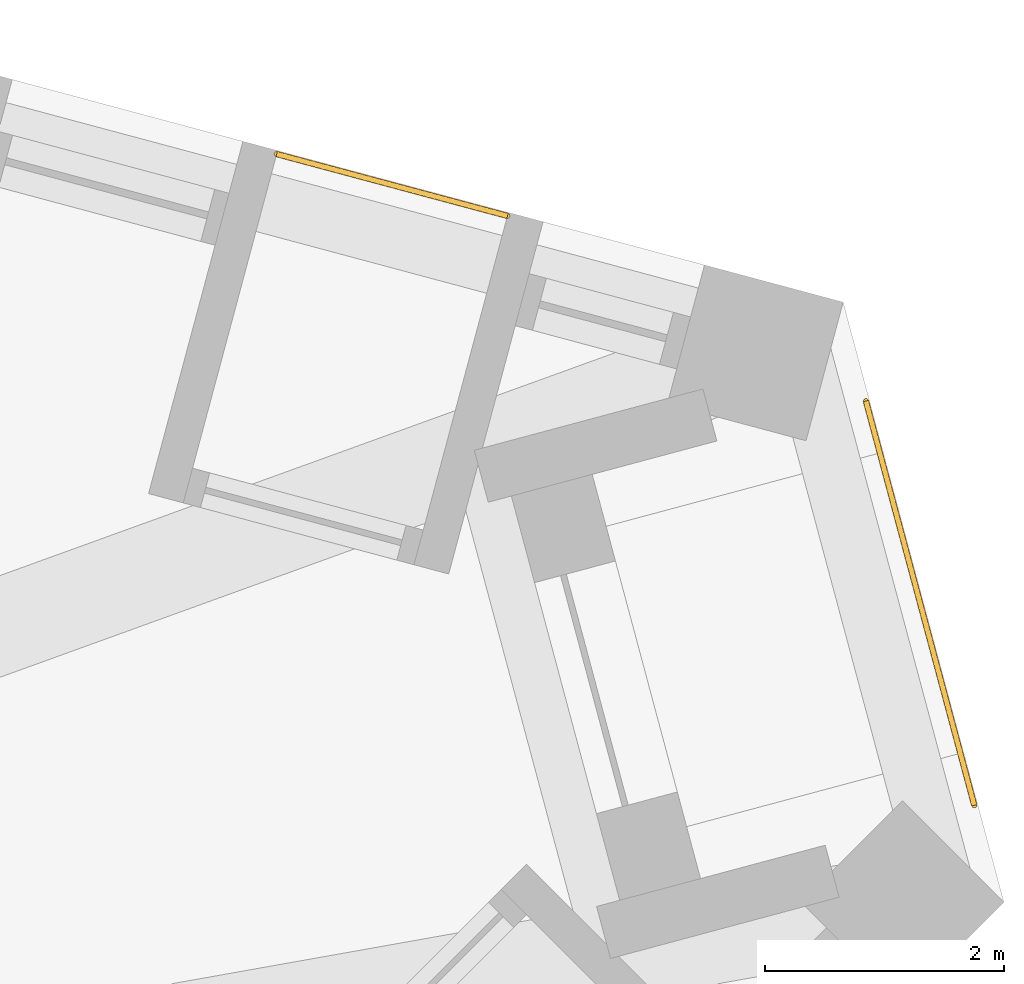
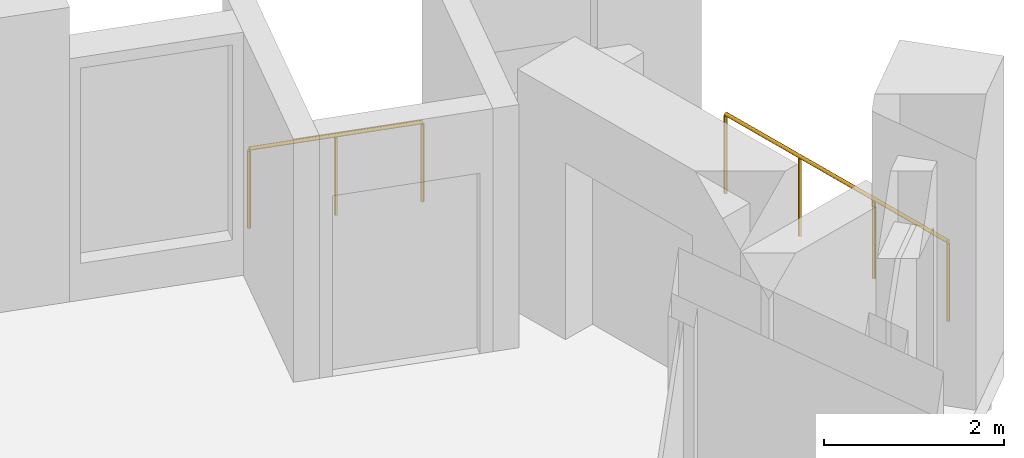
# One storey, part 13 of 13: 2 railings.
"""IFC4 building model written with IfcOpenShell, lengths in metres."""

from ifc_helpers import new_model, si_unit, direction, frame, origin, origin_2d, place, context, subcontext, project, spatial, circle, extrude, material, type_object, element, save


model = new_model("IFC4")

# Units and contexts
model_context = context("Model", 3, precision=1e-05, world=origin(), true_north=direction((0.0, 1.0)))
body_context = subcontext(model_context, "Body", "Model", "MODEL_VIEW")
ifc_project = project(units=[si_unit("LENGTHUNIT", "METRE"), si_unit("AREAUNIT", "SQUARE_METRE"), si_unit("VOLUMEUNIT", "CUBIC_METRE"), si_unit("PLANEANGLEUNIT", "RADIAN"), si_unit("MASSUNIT", "GRAM", prefix="KILO")], contexts=[model_context])

# Site, building, storey
site_placement = place(None, origin())
site = spatial("IfcSite", under=ifc_project, at=site_placement, CompositionType="ELEMENT")
building_placement = place(site_placement, origin())
building = spatial("IfcBuilding", under=site, at=building_placement, Name="Tramontana Tower", CompositionType="ELEMENT")
storey_placement = place(building_placement, frame((0.0, 0.0, 228.0)))
storey = spatial("IfcBuildingStorey", under=building, at=storey_placement, Name="L53", CompositionType="ELEMENT", Elevation=228.0)

# Railings
ifc_material = material(Name="Laminated glass balustrade", Category="glass")
railing_type = type_object("IfcRailingType", Name="GD1 Loggia glass balustrade 1100", PredefinedType="BALUSTRADE", material=ifc_material)
railing_1_placement = place(storey_placement, frame((24.04931640625, 10.60693359375, 0.0)))
element("IfcRailing", 1, at=railing_1_placement, inside=storey, type_object=railing_type, Name="Loggia balustrade L53 G5S2.1", PredefinedType="BALUSTRADE", context=body_context, shape_type="SweptSolid", body=[
    extrude(circle(Radius=0.02392578125, at=origin_2d()), frame((0.0, 0.0, 1.076171875), z_axis=(-0.96593005298, 0.258803270362, 0.0), x_axis=(-0.258803270362, -0.96593005298, 0.0)), (0.0, 0.0, 1.0), 1.998046875),
    extrude(circle(Radius=0.02099609375, at=origin_2d()), origin(), (0.0, 0.0, 1.0), 1.052001953125),
    extrude(circle(Radius=0.02099609375, at=origin_2d()), frame((-0.96484375, 0.258544921875, 0.0)), (0.0, 0.0, 1.0), 1.052001953125),
    extrude(circle(Radius=0.02099609375, at=origin_2d()), frame((-1.929931640625, 0.51708984375, 0.0)), (0.0, 0.0, 1.0), 1.052001953125),
])
railing_2_placement = place(storey_placement, frame((27.046875, 9.058837890625, 0.0)))
element("IfcRailing", 2, at=railing_2_placement, inside=storey, type_object=railing_type, Name="Corner loggia balustrade L53 K52", PredefinedType="BALUSTRADE", context=body_context, shape_type="SweptSolid", body=[
    extrude(circle(Radius=0.02392578125, at=origin_2d()), frame((0.0, 0.0, 1.076171875), z_axis=(0.258865093408, -0.965913486506, 0.0), x_axis=(0.965913486506, 0.258865093408, 0.0)), (0.0, 0.0, 1.0), 3.5),
    extrude(circle(Radius=0.02099609375, at=origin_2d()), origin(), (0.0, 0.0, 1.0), 1.052001953125),
    extrude(circle(Radius=0.02099609375, at=origin_2d()), frame((0.302001953125, -1.126953125, 0.0)), (0.0, 0.0, 1.0), 1.052001953125),
    extrude(circle(Radius=0.02099609375, at=origin_2d()), frame((0.60400390625, -2.253662109375, 0.0)), (0.0, 0.0, 1.0), 1.052001953125),
    extrude(circle(Radius=0.02099609375, at=origin_2d()), frame((0.906005859375, -3.380615234375, 0.0)), (0.0, 0.0, 1.0), 1.052001953125),
])

save(model, "model.ifc")
